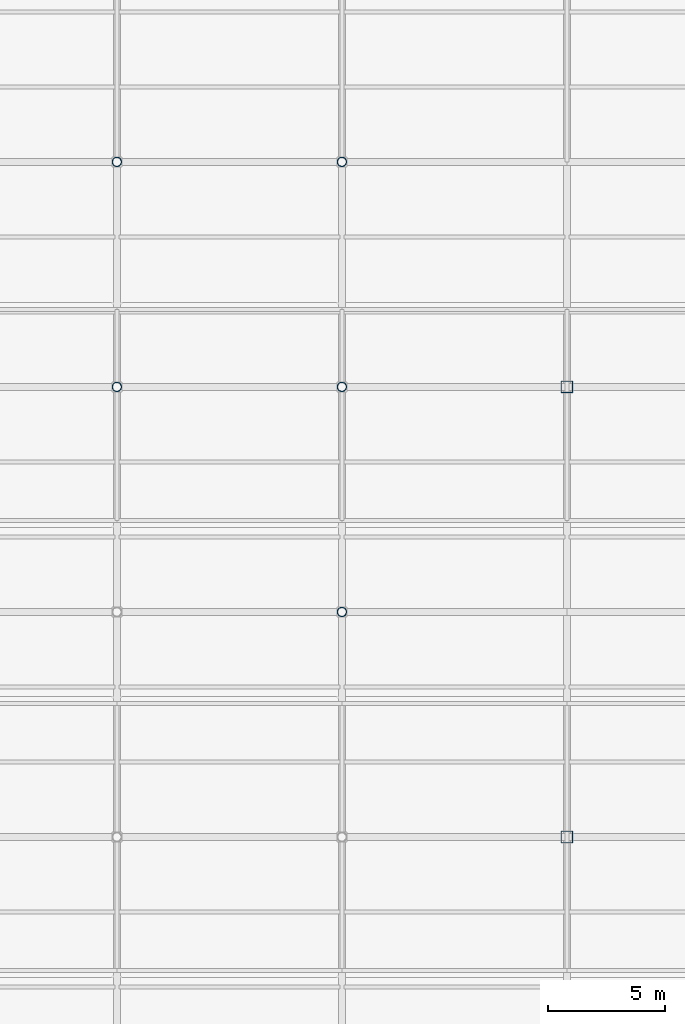
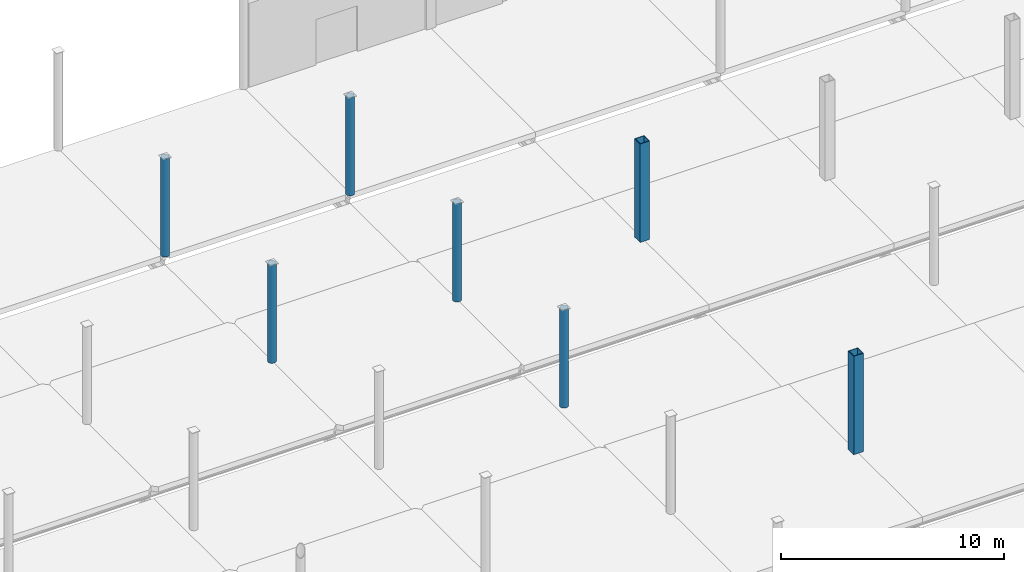
# One storey, part 11 of 85: 7 columns.
"""IFC4 building model written with IfcOpenShell, lengths in metres."""

import ifcopenshell
import ifcopenshell.guid

model = None  # the IFC model being written
_history = None  # IfcOwnerHistory: only IFC2X3 demands one
_inside = {}  # id of a spatial element -> (the spatial element, [elements in it])
_under = {}  # id of a project, library or spatial element -> (it, [spatial elements below it])
_declared = {}  # id of a project -> (the project, [libraries it declares])
_typed = {}  # id of a type object -> (the type object, [elements of that type])
_made_of = {}  # id of a material, layer set ... -> (it, [elements and type objects made of it])


def new_model(schema):
    """Start an empty IFC model of exactly this schema.

    Asked for "IFC4X3", IfcOpenShell would pick the latest addendum, in which some entities
    have other attributes; the version numbers below select the first issue.
    IFC2X3 requires an IfcOwnerHistory on every rooted entity: one is made here for all.
    """
    global model, _history
    if schema == "IFC4X3":
        model = ifcopenshell.file(schema_version=(4, 3, 0, 0))
    else:
        model = ifcopenshell.file(schema=schema)
    _inside.clear()
    _under.clear()
    _declared.clear()
    _typed.clear()
    _made_of.clear()
    _history = None
    if model.schema == "IFC2X3":
        org = make("IfcOrganization", Name="unknown")
        user = make(
            "IfcPersonAndOrganization",
            ThePerson=make("IfcPerson", FamilyName="unknown"),
            TheOrganization=org,
        )
        app = make(
            "IfcApplication",
            ApplicationDeveloper=org,
            Version="unknown",
            ApplicationFullName="unknown",
            ApplicationIdentifier="unknown",
        )
        _history = make(
            "IfcOwnerHistory",
            OwningUser=user,
            OwningApplication=app,
            ChangeAction="ADDED",
            CreationDate=0,
        )
    return model


def make(cls, **values):
    """One entity of the class cls with the attributes given. An attribute that is None is left unset."""
    return model.create_entity(
        cls, **{name: value for name, value in values.items() if value is not None}
    )


def rooted(cls, **values):
    """An entity with a GlobalId (a new one), such as an element, a storey or a relation."""
    return make(cls, GlobalId=ifcopenshell.guid.new(), OwnerHistory=_history, **values)


def si_unit(unit_type, name, prefix=None):
    """IfcSIUnit, for example si_unit("LENGTHUNIT", "METRE", prefix="MILLI")."""
    return make("IfcSIUnit", UnitType=unit_type, Prefix=prefix, Name=name)


def assignment(units):
    """IfcUnitAssignment: the units of a project."""
    return None if units is None else make("IfcUnitAssignment", Units=units)


def point(xyz):
    """IfcCartesianPoint."""
    return None if xyz is None else make("IfcCartesianPoint", Coordinates=xyz)


def direction(xyz):
    """IfcDirection."""
    return None if xyz is None else make("IfcDirection", DirectionRatios=xyz)


def frame(location, z_axis=None, x_axis=None):
    """IfcAxis2Placement3D, a coordinate frame: its origin and axes. An axis left out is left unset."""
    return make(
        "IfcAxis2Placement3D",
        Location=point(location),
        Axis=direction(z_axis),
        RefDirection=direction(x_axis),
    )


def frame_2d(location, x_axis=None):
    """IfcAxis2Placement2D, a coordinate frame in the plane: its origin and x axis."""
    return make(
        "IfcAxis2Placement2D", Location=point(location), RefDirection=direction(x_axis)
    )


def origin():
    """The frame at (0, 0, 0) with its axes left unset."""
    return frame((0.0, 0.0, 0.0))


def origin_2d():
    """The frame at (0, 0) in the plane with its x axis left unset."""
    return frame_2d((0.0, 0.0))


def place(relative_to, where):
    """IfcLocalPlacement: puts the frame where relative to a parent placement (None: the world)."""
    return make(
        "IfcLocalPlacement", PlacementRelTo=relative_to, RelativePlacement=where
    )


def context(
    kind, dimensions, precision=None, world=None, true_north=None, identifier=None
):
    """IfcGeometricRepresentationContext, for example the 3D "Model" context."""
    return make(
        "IfcGeometricRepresentationContext",
        ContextIdentifier=identifier,
        ContextType=kind,
        CoordinateSpaceDimension=dimensions,
        Precision=precision,
        WorldCoordinateSystem=world,
        TrueNorth=true_north,
    )


def subcontext(parent, identifier, kind, view, scale=None):
    """IfcGeometricRepresentationSubContext, for example "Body" below "Model"."""
    return make(
        "IfcGeometricRepresentationSubContext",
        ContextIdentifier=identifier,
        ContextType=kind,
        ParentContext=parent,
        TargetScale=scale,
        TargetView=view,
    )


def project(units=None, contexts=None):
    """IfcProject with its units and contexts."""
    return rooted(
        "IfcProject",
        Name="project",
        RepresentationContexts=contexts,
        UnitsInContext=assignment(units),
    )


def spatial(cls, under=None, at=None, **own):
    """A site, building, storey or space (cls), placed at a placement, below another one or the project."""
    s = rooted(cls, ObjectPlacement=at, **own)
    if under is not None:
        _under.setdefault(under.id(), (under, []))[1].append(s)
    return s


def profile(cls, at=None, kind="AREA", **sizes):
    """A parametric profile (cls). Its sizes go by their IFC names, for example OverallWidth=200.0."""
    return make(cls, ProfileType=kind, Position=at, **sizes)


def hollow_rectangle(**sizes):
    """IfcRectangleHollowProfileDef."""
    return profile("IfcRectangleHollowProfileDef", **sizes)


def hollow_circle(**sizes):
    """IfcCircleHollowProfileDef."""
    return profile("IfcCircleHollowProfileDef", **sizes)


def extrude(swept, where, along, depth):
    """IfcExtrudedAreaSolid: the profile swept, set in the frame where, extruded along a direction by depth."""
    return make(
        "IfcExtrudedAreaSolid",
        SweptArea=swept,
        Position=where,
        ExtrudedDirection=direction(along),
        Depth=depth,
    )


def shape(context_of_items, identifier, shape_type, items):
    """IfcShapeRepresentation: the items that make up one representation, for example the "Body"."""
    return make(
        "IfcShapeRepresentation",
        ContextOfItems=context_of_items,
        RepresentationIdentifier=identifier,
        RepresentationType=shape_type,
        Items=items,
    )


def material(Name=None, Category=None):
    """IfcMaterial."""
    return make("IfcMaterial", Name=Name, Category=Category)


def material_profile(
    of_material, cross_section, Name=None, Category=None, Priority=None
):
    """IfcMaterialProfile: a cross section and its material."""
    return make(
        "IfcMaterialProfile",
        Name=Name,
        Material=of_material,
        Profile=cross_section,
        Priority=Priority,
        Category=Category,
    )


def profile_set(profiles, Name=None, composite=None):
    """IfcMaterialProfileSet."""
    return make(
        "IfcMaterialProfileSet",
        Name=Name,
        MaterialProfiles=profiles,
        CompositeProfile=composite,
    )


def made_of(thing, what):
    """Note that an element or type object is made of a material, layer set ...; save() writes the relation."""
    if what is not None:
        _made_of.setdefault(what.id(), (what, []))[1].append(thing)
    return thing


def type_object(cls, material=None, **own):
    """A type object (cls), such as IfcWallType, which elements share."""
    return made_of(rooted(cls, **own), material)


def element(
    cls,
    number,
    at=None,
    inside=None,
    cuts=None,
    type_object=None,
    material=None,
    context=None,
    identifier="Body",
    shape_type=None,
    held_by="IfcProductDefinitionShape",
    body=None,
    shapes=None,
    **own,
):
    """One element of the class cls, such as IfcWall. Its Tag is "e" and its number.

    at: its placement. inside: the storey or other place that contains it. cuts: it is an
    opening in that element (IfcRelVoidsElement). A single representation is given by context,
    identifier, shape_type and body (its items); several are given by shapes. held_by: the class
    of the entity that holds the representations. save() writes the other relations.
    """
    e = rooted(cls, Tag="e%d" % number, ObjectPlacement=at, **own)
    if body is not None:
        shapes = [shape(context, identifier, shape_type, body)]
    if shapes is not None:
        e.Representation = make(held_by, Representations=shapes)
    if inside is not None:
        _inside.setdefault(inside.id(), (inside, []))[1].append(e)
    if cuts is not None:
        rooted(
            "IfcRelVoidsElement", RelatingBuildingElement=cuts, RelatedOpeningElement=e
        )
    if type_object is not None:
        _typed.setdefault(type_object.id(), (type_object, []))[1].append(e)
    return made_of(e, material)


def aggregate(whole, parts):
    """IfcRelAggregates: a whole, such as a stair, and the parts it consists of."""
    return rooted("IfcRelAggregates", RelatingObject=whole, RelatedObjects=parts)


def save(model, path):
    """Write the relations noted so far, then the file.

    IfcRelAggregates (storeys below a building ...), IfcRelContainedInSpatialStructure (elements
    in a storey), IfcRelDefinesByType, IfcRelAssociatesMaterial and IfcRelDeclares: one each for
    every whole, place, type object, material and project.
    """
    for whole, parts in _under.values():
        aggregate(whole, parts)
    for where, things in _inside.values():
        rooted(
            "IfcRelContainedInSpatialStructure",
            RelatedElements=things,
            RelatingStructure=where,
        )
    for kind, things in _typed.values():
        rooted("IfcRelDefinesByType", RelatedObjects=things, RelatingType=kind)
    for what, things in _made_of.values():
        rooted("IfcRelAssociatesMaterial", RelatedObjects=things, RelatingMaterial=what)
    for by, libraries in _declared.values():
        rooted("IfcRelDeclares", RelatingContext=by, RelatedDefinitions=libraries)
    model.write(path)


model = new_model("IFC4")

# Units and contexts
model_context = context("Model", 3, precision=1e-05, world=origin(), true_north=direction((0.0, 1.0)))
body_context = subcontext(model_context, "Body", "Model", "MODEL_VIEW")
ifc_project = project(units=[si_unit("LENGTHUNIT", "METRE"), si_unit("AREAUNIT", "SQUARE_METRE"), si_unit("VOLUMEUNIT", "CUBIC_METRE"), si_unit("PLANEANGLEUNIT", "RADIAN"), si_unit("MASSUNIT", "GRAM", prefix="KILO")], contexts=[model_context])

# Site, building, storey
site_placement = place(None, origin())
site = spatial("IfcSite", under=ifc_project, at=site_placement, CompositionType="ELEMENT")
building_placement = place(site_placement, origin())
building = spatial("IfcBuilding", under=site, at=building_placement, Name="Zarnetskaya Central Station", CompositionType="ELEMENT")
storey_placement = place(building_placement, origin())
storey = spatial("IfcBuildingStorey", under=building, at=storey_placement, Name="L00", CompositionType="ELEMENT", Elevation=0.0)

# Columns
ifc_material = material(Name="Steel S355", Category="steel")
ifc_material_profile_1 = material_profile(ifc_material, hollow_circle(Radius=0.203125, WallThickness=0.02001953125, at=origin_2d()), Name="CHS 406.4x20")
ifc_profile_set_1 = profile_set([ifc_material_profile_1], Name="Steel S355")
column_type_1 = type_object("IfcColumnType", Name="COL-V1-PCAN", PredefinedType="COLUMN", material=ifc_profile_set_1)
for number, where, z_axis, x_axis, name in (
    (1, (38.39990234375, 105.60009765625, 0.0), (0.0, 0.0, 1.0), (1.0, 0.0, 0.0), "Column E13 L00"),
    (2, (38.39990234375, 115.199951171875, 0.0), (0.0, 0.0, 1.0), (1.0, 0.0, 0.0), "Column E14 L00"),
    (3, (48.0, 96.0, 0.0), (0.0, 0.0, 1.0), (1.0, 0.0, 0.0), "Column F12 L00"),
    (4, (48.0, 105.60009765625, 0.0), (0.0, 0.0, 1.0), (1.0, 0.0, 0.0), "Column F13 L00"),
    (5, (48.0, 115.199951171875, 0.0), (0.0, 0.0, 1.0), (1.0, 0.0, 0.0), "Column F14 L00"),
):
    element("IfcColumn", number, at=place(storey_placement, frame(where, z_axis=z_axis, x_axis=x_axis)), inside=storey, type_object=column_type_1, Name=name, PredefinedType="COLUMN", context=body_context, shape_type="SweptSolid", body=[
        extrude(hollow_circle(Radius=0.203125, WallThickness=0.02001953125, at=origin_2d()), origin(), (0.0, 0.0, 1.0), 5.387939453125),
    ])
ifc_material_profile_2 = material_profile(ifc_material, hollow_rectangle(XDim=0.5, YDim=0.5, WallThickness=0.02490234375, at=origin_2d()), Name="BOX 500x500x25")
ifc_profile_set_2 = profile_set([ifc_material_profile_2], Name="Steel S355")
column_type_2 = type_object("IfcColumnType", Name="COL-V1-SHED", PredefinedType="COLUMN", material=ifc_profile_set_2)
for number, where, z_axis, x_axis, name in (
    (6, (57.60009765625, 86.39990234375, 0.0), (0.0, 0.0, 1.0), (1.0, 0.0, 0.0), "Column G11 L00"),
    (7, (57.60009765625, 105.60009765625, 0.0), (0.0, 0.0, 1.0), (1.0, 0.0, 0.0), "Column G13 L00"),
):
    element("IfcColumn", number, at=place(storey_placement, frame(where, z_axis=z_axis, x_axis=x_axis)), inside=storey, type_object=column_type_2, Name=name, PredefinedType="COLUMN", context=body_context, shape_type="SweptSolid", body=[
        extrude(hollow_rectangle(XDim=0.5, YDim=0.5, WallThickness=0.02490234375, at=origin_2d()), origin(), (0.0, 0.0, 1.0), 5.39990234375),
    ])

save(model, "model.ifc")
